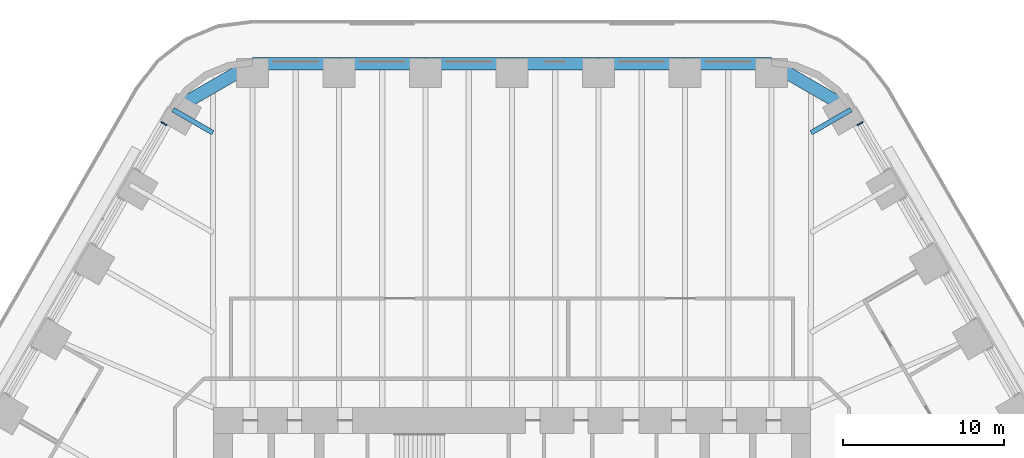
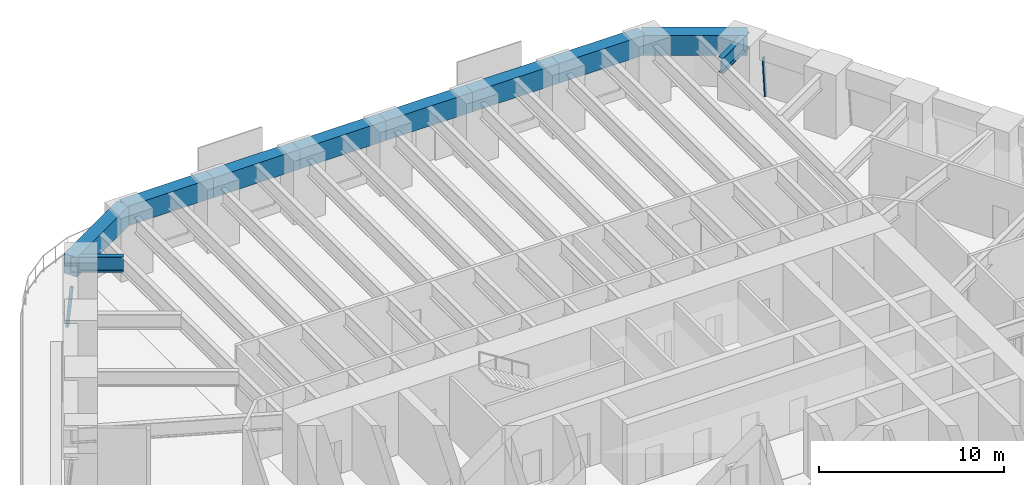
# One storey, part 14 of 23: 10 beams, 2 members, 2 elements without a shape of their own.
"""IFC4 building model written with IfcOpenShell, lengths in metres."""

from ifc_helpers import new_model, si_unit, direction, frame, origin, origin_2d, place, context, subcontext, project, spatial, rectangle, i_section, extrude, material, material_profile, profile_set, type_object, element, aggregate, save


model = new_model("IFC4")

# Units and contexts
model_context = context("Model", 3, precision=1e-05, world=origin(), true_north=direction((0.0, 1.0)))
body_context = subcontext(model_context, "Body", "Model", "MODEL_VIEW")
ifc_project = project(units=[si_unit("LENGTHUNIT", "METRE"), si_unit("AREAUNIT", "SQUARE_METRE"), si_unit("VOLUMEUNIT", "CUBIC_METRE"), si_unit("PLANEANGLEUNIT", "RADIAN"), si_unit("MASSUNIT", "GRAM", prefix="KILO")], contexts=[model_context])

# Site, building, storey
site_placement = place(None, origin())
site = spatial("IfcSite", under=ifc_project, at=site_placement, CompositionType="ELEMENT")
building_placement = place(site_placement, origin())
building = spatial("IfcBuilding", under=site, at=building_placement, Name="Tarfa Lantern Tower", CompositionType="ELEMENT")
storey_placement = place(building_placement, frame((0.0, 0.0, 44.5)))
storey = spatial("IfcBuildingStorey", under=building, at=storey_placement, Name="L09", CompositionType="ELEMENT", Elevation=44.5)

# Curtain wall, member
ifc_material_1 = material(Name="Aluminium framed curtain wall", Category="aluminium")
curtain_wall_type = type_object("IfcCurtainWallType", Name="CW1 CANTED GLAZING LOW ZONE 2700", PredefinedType="USERDEFINED", material=ifc_material_1)
curtain_wall_1_placement = place(storey_placement, origin())
curtain_wall_1 = element("IfcCurtainWall", 1, at=curtain_wall_1_placement, inside=storey, type_object=curtain_wall_type, Name="CW1 NE L09", ObjectType="CURTAIN WALL", PredefinedType="USERDEFINED")
ifc_material_2 = material(Name="Aluminium mullion", Category="aluminium")
ifc_material_profile_1 = material_profile(ifc_material_2, rectangle(XDim=0.06494140625, YDim=0.199951171875, at=origin_2d()), Name="AL MULLION 65x200")
ifc_profile_set_1 = profile_set([ifc_material_profile_1], Name="Aluminium mullion")
member_type = type_object("IfcMemberType", Name="CWM1 MULLION 65x200", PredefinedType="MULLION", material=ifc_profile_set_1)
member_1_placement = place(storey_placement, frame((21.79150390625, 30.055908203125, 0.0), z_axis=(-0.079774955866, -0.04610020023, 0.995746317068), x_axis=(0.500342721131, -0.865827443207, 0.0)))
member_1 = element("IfcMember", 2, at=member_1_placement, type_object=member_type, Name="CW1 mullion 2", PredefinedType="MULLION", context=body_context, shape_type="SweptSolid", body=[
    extrude(rectangle(XDim=0.06494140625, YDim=0.199951171875, at=origin_2d()), origin(), (0.0, 0.0, 1.0), 2.71142578125),
])
aggregate(curtain_wall_1, [member_1])

curtain_wall_2_placement = place(storey_placement, origin())
curtain_wall_2 = element("IfcCurtainWall", 3, at=curtain_wall_2_placement, inside=storey, type_object=curtain_wall_type, Name="CW1 NW L09", ObjectType="CURTAIN WALL", PredefinedType="USERDEFINED")
member_2_placement = place(storey_placement, frame((-21.79150390625, 30.055908203125, 0.0), z_axis=(0.079774955866, -0.04610020023, 0.995746317068), x_axis=(0.500342721131, 0.865827443207, 0.0)))
member_2 = element("IfcMember", 4, at=member_2_placement, type_object=member_type, Name="CW1 mullion 1", PredefinedType="MULLION", context=body_context, shape_type="SweptSolid", body=[
    extrude(rectangle(XDim=0.06494140625, YDim=0.199951171875, at=origin_2d()), origin(), (0.0, 0.0, 1.0), 2.71142578125),
])
aggregate(curtain_wall_2, [member_2])

# Beams
ifc_material_3 = material(Name="Concrete C80/95", Category="concrete")
ifc_material_profile_2 = material_profile(ifc_material_3, rectangle(XDim=0.800048828125, YDim=1.300048828125, at=origin_2d()), Name="RC 800x1300")
ifc_profile_set_2 = profile_set([ifc_material_profile_2], Name="Concrete C80/95")
beam_type_1 = type_object("IfcBeamType", Name="EB1 RC 800x1300", PredefinedType="SPANDREL", material=ifc_profile_set_2)
beam_1_placement = place(storey_placement, frame((21.119384765625, 30.860107421875, 3.35009765625), z_axis=(-0.866033479681, 0.499986011877, 0.0), x_axis=(-0.499986011877, -0.866033479681, 0.0)))
element("IfcBeam", 5, at=beam_1_placement, inside=storey, type_object=beam_type_1, Name="Edge beam NE6", PredefinedType="SPANDREL", context=body_context, shape_type="SweptSolid", body=[
    extrude(rectangle(XDim=0.800048828125, YDim=1.300048828125, at=origin_2d()), origin(), (0.0, 0.0, 1.0), 5.719970703125),
])
beam_2_placement = place(storey_placement, frame((16.165771484375, 33.719970703125, 3.35009765625), z_axis=(-1.0, 0.0, 0.0), x_axis=(0.0, -1.0, 0.0)))
element("IfcBeam", 6, at=beam_2_placement, inside=storey, type_object=beam_type_1, Name="Edge beam N0", PredefinedType="SPANDREL", context=body_context, shape_type="SweptSolid", body=[
    extrude(rectangle(XDim=0.800048828125, YDim=1.300048828125, at=origin_2d()), origin(), (0.0, 0.0, 1.0), 5.388671875),
])
beam_3_placement = place(storey_placement, frame((10.777099609375, 33.719970703125, 3.35009765625), z_axis=(-1.0, 0.0, 0.0), x_axis=(0.0, -1.0, 0.0)))
element("IfcBeam", 7, at=beam_3_placement, inside=storey, type_object=beam_type_1, Name="Edge beam N1", PredefinedType="SPANDREL", context=body_context, shape_type="SweptSolid", body=[
    extrude(rectangle(XDim=0.800048828125, YDim=1.300048828125, at=origin_2d()), origin(), (0.0, 0.0, 1.0), 5.388427734375),
])
for number, where, z_axis, x_axis, name in (
    (8, (5.388671875, 33.719970703125, 3.35009765625), (-1.0, 0.0, 0.0), (0.0, -1.0, 0.0), "Edge beam N2"),
    (9, (0.0, 33.719970703125, 3.35009765625), (-1.0, 0.0, 0.0), (0.0, -1.0, 0.0), "Edge beam N3"),
):
    element("IfcBeam", number, at=place(storey_placement, frame(where, z_axis=z_axis, x_axis=x_axis)), inside=storey, type_object=beam_type_1, Name=name, PredefinedType="SPANDREL", context=body_context, shape_type="SweptSolid", body=[
        extrude(rectangle(XDim=0.800048828125, YDim=1.300048828125, at=origin_2d()), origin(), (0.0, 0.0, 1.0), 5.388671875),
    ])
beam_4_placement = place(storey_placement, frame((-5.388671875, 33.719970703125, 3.35009765625), z_axis=(-1.0, 0.0, 0.0), x_axis=(0.0, -1.0, 0.0)))
element("IfcBeam", 10, at=beam_4_placement, inside=storey, type_object=beam_type_1, Name="Edge beam N4", PredefinedType="SPANDREL", context=body_context, shape_type="SweptSolid", body=[
    extrude(rectangle(XDim=0.800048828125, YDim=1.300048828125, at=origin_2d()), origin(), (0.0, 0.0, 1.0), 5.388427734375),
])
beam_5_placement = place(storey_placement, frame((-10.777099609375, 33.719970703125, 3.35009765625), z_axis=(-1.0, 0.0, 0.0), x_axis=(0.0, -1.0, 0.0)))
element("IfcBeam", 11, at=beam_5_placement, inside=storey, type_object=beam_type_1, Name="Edge beam N5", PredefinedType="SPANDREL", context=body_context, shape_type="SweptSolid", body=[
    extrude(rectangle(XDim=0.800048828125, YDim=1.300048828125, at=origin_2d()), origin(), (0.0, 0.0, 1.0), 5.388671875),
])
beam_6_placement = place(storey_placement, frame((-16.165771484375, 33.719970703125, 3.35009765625), z_axis=(-0.866033479681, -0.499986011877, 0.0), x_axis=(0.499986011877, -0.866033479681, 0.0)))
element("IfcBeam", 12, at=beam_6_placement, inside=storey, type_object=beam_type_1, Name="Edge beam N6", PredefinedType="SPANDREL", context=body_context, shape_type="SweptSolid", body=[
    extrude(rectangle(XDim=0.800048828125, YDim=1.300048828125, at=origin_2d()), origin(), (0.0, 0.0, 1.0), 5.719970703125),
])
ifc_material_4 = material(Name="Steel S460M", Category="steel")
ifc_material_profile_3 = material_profile(ifc_material_4, i_section(OverallWidth=0.302001953125, OverallDepth=1.008056640625, WebThickness=0.02099609375, FlangeThickness=0.0400390625, FilletRadius=0.030029296875, at=origin_2d()), Name="UB1016x305x349")
ifc_profile_set_3 = profile_set([ifc_material_profile_3], Name="Steel S460M")
beam_type_2 = type_object("IfcBeamType", Name="UB1016x305x349", PredefinedType="BEAM", material=ifc_profile_set_3)
for number, where, z_axis, x_axis, name in (
    (13, (21.119384765625, 30.860107421875, 3.495849609375), (-0.866012580594, -0.500022209759, 0.0), (0.500022209759, -0.866012580594, 0.0), "Floor beam NE6"),
    (14, (-21.119384765625, 30.860107421875, 3.495849609375), (0.866012580594, -0.500022209759, 0.0), (0.500022209759, 0.866012580594, 0.0), "Floor beam NW0"),
):
    element("IfcBeam", number, at=place(storey_placement, frame(where, z_axis=z_axis, x_axis=x_axis)), inside=storey, type_object=beam_type_2, Name=name, PredefinedType="BEAM", context=body_context, shape_type="SweptSolid", body=[
        extrude(i_section(OverallWidth=0.302001953125, OverallDepth=1.008056640625, WebThickness=0.02099609375, FlangeThickness=0.0400390625, FilletRadius=0.030029296875, at=origin_2d()), origin(), (0.0, 0.0, 1.0), 2.866943359375),
    ])

save(model, "model.ifc")
